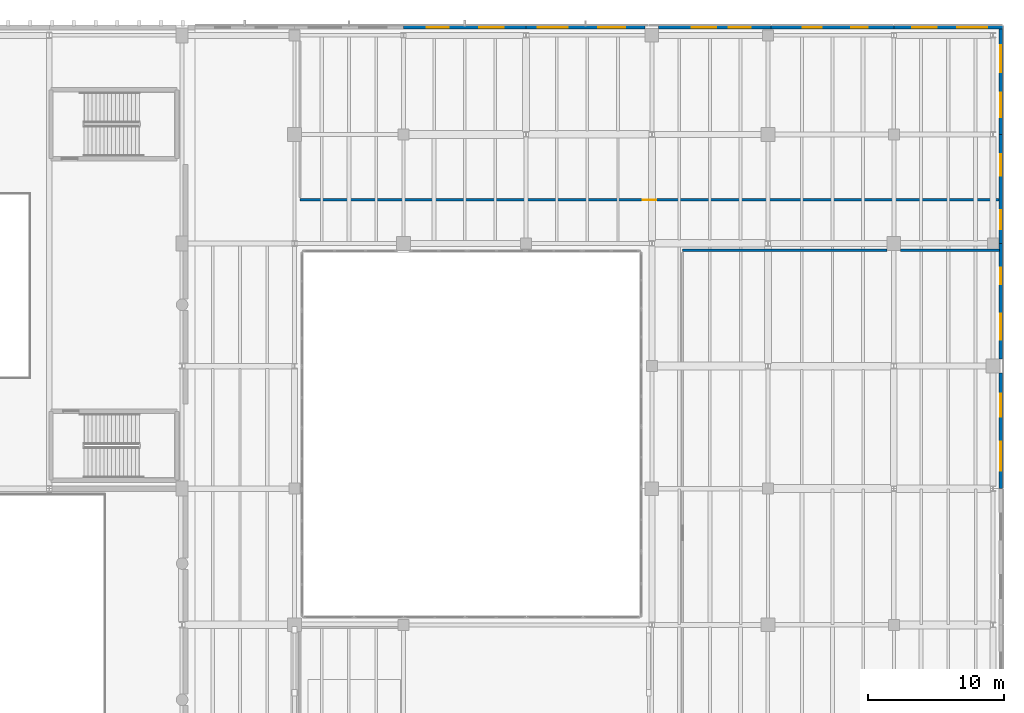
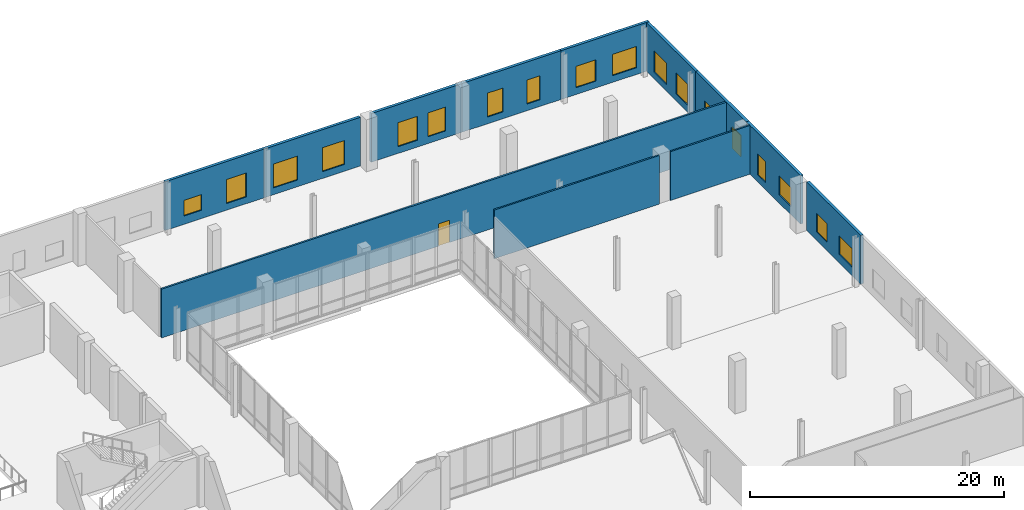
# One storey, part 65 of 81: 18 windows, 12 walls, 1 door, 19 openings.
"""IFC4 building model written with IfcOpenShell, lengths in metres."""

from ifc_helpers import new_model, si_unit, direction, frame, frame_2d, origin, place, context, subcontext, project, spatial, rectangle, extrude, material, layer, layer_set, type_object, element, fill, save


model = new_model("IFC4")

# Units and contexts
model_context = context("Model", 3, precision=1e-05, world=origin(), true_north=direction((0.0, 1.0)))
body_context = subcontext(model_context, "Body", "Model", "MODEL_VIEW")
ifc_project = project(units=[si_unit("LENGTHUNIT", "METRE"), si_unit("AREAUNIT", "SQUARE_METRE"), si_unit("VOLUMEUNIT", "CUBIC_METRE"), si_unit("PLANEANGLEUNIT", "RADIAN"), si_unit("MASSUNIT", "GRAM", prefix="KILO")], contexts=[model_context])

# Site, building, storey
site_placement = place(None, origin())
site = spatial("IfcSite", under=ifc_project, at=site_placement, CompositionType="ELEMENT")
building_placement = place(site_placement, origin())
building = spatial("IfcBuilding", under=site, at=building_placement, Name="Trimount Lyric Opera House", CompositionType="ELEMENT")
storey_placement = place(building_placement, frame((0.0, 0.0, 5.0)))
storey = spatial("IfcBuildingStorey", under=building, at=storey_placement, Name="L01", CompositionType="ELEMENT", Elevation=5.0)

# Walls
ifc_material_1 = material(Name="Fire-Rated Gypsum Board Partition")
ifc_layer_1 = layer(ifc_material_1, 0.14990234375)
ifc_layer_set_1 = layer_set([ifc_layer_1], Name="WL-PT150")
wall_type_1 = type_object("IfcWallType", Name="WL-PT150", PredefinedType="PARTITIONING", material=ifc_layer_set_1)
wall_1_placement = place(storey_placement, frame((173.75, 101.5, 0.0), z_axis=(0.0, 0.0, 1.0), x_axis=(-1.0, 0.0, 0.0)))
element("IfcWall", 1, at=wall_1_placement, inside=storey, type_object=wall_type_1, Name="L01 Scenic Backdrop Paint Loft N partition", PredefinedType="PARTITIONING", context=body_context, shape_type="SweptSolid", body=[
    extrude(rectangle(XDim=7.25, YDim=0.14990234375, at=frame_2d((3.625, 0.0))), origin(), (0.0, 0.0, 1.0), 4.679931640625),
])
wall_2_placement = place(storey_placement, frame((165.5, 101.5, 0.0), z_axis=(0.0, 0.0, 1.0), x_axis=(-1.0, 0.0, 0.0)))
element("IfcWall", 2, at=wall_2_placement, inside=storey, type_object=wall_type_1, Name="L01 Scenic Backdrop Paint Loft N partition", PredefinedType="PARTITIONING", context=body_context, shape_type="SweptSolid", body=[
    extrude(rectangle(XDim=15.0, YDim=0.14990234375, at=frame_2d((7.5, 0.0))), origin(), (0.0, 0.0, 1.0), 4.679931640625),
])

# Wall, opening, door
ifc_material_2 = material(Name="Acoustic Double-Stud Gypsum Board")
ifc_layer_2 = layer(ifc_material_2, 0.1650390625)
ifc_layer_set_2 = layer_set([ifc_layer_2], Name="WL-PT165")
wall_type_2 = type_object("IfcWallType", Name="WL-PT165", PredefinedType="PARTITIONING", material=ifc_layer_set_2)
wall_3_placement = place(storey_placement, frame((122.39990234375, 105.199951171875, 0.0), z_axis=(0.0, 0.0, 1.0), x_axis=(1.0, 0.0, 0.0)))
wall_3 = element("IfcWall", 3, at=wall_3_placement, inside=storey, type_object=wall_type_2, Name="L01 Stage Lighting & Projection Lab S partition", PredefinedType="PARTITIONING", context=body_context, shape_type="SweptSolid", body=[
    extrude(rectangle(XDim=51.35009765625, YDim=0.1650390625, at=frame_2d((25.675048828125, 0.0))), origin(), (0.0, 0.0, 1.0), 4.679931640625),
])
opening_1_placement = place(wall_3_placement, frame((25.175048828125, 0.0, 0.0)))
opening_1 = element("IfcOpeningElement", 4, at=opening_1_placement, cuts=wall_3, Name="Opening DT-RM1", PredefinedType="OPENING", context=body_context, shape_type="SweptSolid", body=[
    extrude(rectangle(XDim=1.0, YDim=2.14990234375, at=frame_2d((0.5, 1.074951171875))), frame((0.0, 0.092529296875, 0.0), z_axis=(0.0, -1.0, 0.0), x_axis=(1.0, 0.0, 0.0)), (0.0, 0.0, 1.0), 0.18505859375),
])
ifc_material_3 = material(Name="Solid Core White Oak")
door_type = type_object("IfcDoorType", Name="DT-RM1", OperationType="NOTDEFINED", PredefinedType="DOOR", material=ifc_material_3)
door_placement = place(opening_1_placement, origin())
door = element("IfcDoor", 5, at=door_placement, inside=storey, type_object=door_type, Name="D-205", OperationType="SINGLE_SWING_LEFT", OverallHeight=2.14990234375, OverallWidth=1.0, PredefinedType="DOOR", context=body_context, shape_type="SweptSolid", body=[
    extrude(rectangle(XDim=1.0, YDim=2.14990234375, at=frame_2d((0.5, 1.074951171875))), frame((0.0, 0.02490234375, 0.0), z_axis=(0.0, -1.0, 0.0), x_axis=(1.0, 0.0, 0.0)), (0.0, 0.0, 1.0), 0.050048828125),
])
fill(opening_1, door)

# Wall, openings, windows
ifc_material_4 = material(Name="Concrete C35/45", Category="concrete")
ifc_layer_3 = layer(ifc_material_4, 0.25)
ifc_layer_set_3 = layer_set([ifc_layer_3], Name="WL-SW250")
wall_type_3 = type_object("IfcWallType", Name="WL-SW250", PredefinedType="SOLIDWALL", material=ifc_layer_set_3)
wall_4_placement = place(storey_placement, frame((130.0, 117.860107421875, 0.0), z_axis=(0.0, 0.0, 1.0), x_axis=(1.0, 0.0, 0.0)))
wall_4 = element("IfcWall", 6, at=wall_4_placement, inside=storey, type_object=wall_type_3, Name="L01 exterior facade wall 179", PredefinedType="SOLIDWALL", context=body_context, shape_type="SweptSolid", body=[
    extrude(rectangle(XDim=9.0, YDim=0.25, at=frame_2d((4.5, 0.0))), origin(), (0.0, 0.0, 1.0), 4.679931640625),
])
opening_2_placement = place(wall_4_placement, frame((1.719970703125, 0.0, 0.800048828125)))
opening_2 = element("IfcOpeningElement", 7, at=opening_2_placement, cuts=wall_4, Name="Opening WT-26", PredefinedType="OPENING", context=body_context, shape_type="SweptSolid", body=[
    extrude(rectangle(XDim=1.60009765625, YDim=1.5, at=frame_2d((0.800048828125, 0.75))), frame((0.0, 0.135009765625, 0.0), z_axis=(0.0, -1.0, 0.0), x_axis=(1.0, 0.0, 0.0)), (0.0, 0.0, 1.0), 0.27001953125),
])
opening_3_placement = place(wall_4_placement, frame((5.580078125, 0.0, 0.64990234375)))
opening_3 = element("IfcOpeningElement", 8, at=opening_3_placement, cuts=wall_4, Name="Opening WT-04", PredefinedType="OPENING", context=body_context, shape_type="SweptSolid", body=[
    extrude(rectangle(XDim=1.800048828125, YDim=2.300048828125, at=frame_2d((0.89990234375, 1.14990234375))), frame((0.0, 0.135009765625, 0.0), z_axis=(0.0, -1.0, 0.0), x_axis=(1.0, 0.0, 0.0)), (0.0, 0.0, 1.0), 0.27001953125),
])
ifc_material_5 = material(Name="Triple Acoustic Glazing in Aluminium Frame", Category="aluminium")
window_type_1 = type_object("IfcWindowType", Name="WT-04", PartitioningType="DOUBLE_PANEL_VERTICAL", PredefinedType="WINDOW", material=ifc_material_5)
window_1_placement = place(opening_3_placement, origin())
window_1 = element("IfcWindow", 9, at=window_1_placement, inside=storey, type_object=window_type_1, Name="Window WT-04-0105", OverallHeight=2.300048828125, OverallWidth=1.800048828125, PartitioningType="SINGLE_PANEL", PredefinedType="WINDOW", context=body_context, shape_type="SweptSolid", body=[
    extrude(rectangle(XDim=1.800048828125, YDim=2.300048828125, at=frame_2d((0.89990234375, 1.14990234375))), frame((0.0, 0.030029296875, 0.0), z_axis=(0.0, -1.0, 0.0), x_axis=(1.0, 0.0, 0.0)), (0.0, 0.0, 1.0), 0.06005859375),
])
fill(opening_3, window_1)
ifc_material_6 = material(Name="Clerestory Ribbon Glazing", Category="glass")
window_type_2 = type_object("IfcWindowType", Name="WT-26", PartitioningType="SINGLE_PANEL", PredefinedType="WINDOW", material=ifc_material_6)
window_2_placement = place(opening_2_placement, origin())
window_2 = element("IfcWindow", 10, at=window_2_placement, inside=storey, type_object=window_type_2, Name="Window WT-26-0104", OverallHeight=1.5, OverallWidth=1.60009765625, PartitioningType="SINGLE_PANEL", PredefinedType="WINDOW", context=body_context, shape_type="SweptSolid", body=[
    extrude(rectangle(XDim=1.60009765625, YDim=1.5, at=frame_2d((0.800048828125, 0.75))), frame((0.0, 0.030029296875, 0.0), z_axis=(0.0, -1.0, 0.0), x_axis=(1.0, 0.0, 0.0)), (0.0, 0.0, 1.0), 0.06005859375),
])
fill(opening_2, window_2)

wall_5_placement = place(storey_placement, frame((139.0, 117.860107421875, 0.0), z_axis=(0.0, 0.0, 1.0), x_axis=(1.0, 0.0, 0.0)))
wall_5 = element("IfcWall", 11, at=wall_5_placement, inside=storey, type_object=wall_type_3, Name="L01 exterior facade wall 180", PredefinedType="SOLIDWALL", context=body_context, shape_type="SweptSolid", body=[
    extrude(rectangle(XDim=8.739990234375, YDim=0.25, at=frame_2d((4.3701171875, 0.0))), origin(), (0.0, 0.0, 1.0), 4.679931640625),
])
opening_4_placement = place(wall_5_placement, frame((0.84716796875, 0.0, 0.64990234375)))
opening_4 = element("IfcOpeningElement", 12, at=opening_4_placement, cuts=wall_5, Name="Opening WT-02", PredefinedType="OPENING", context=body_context, shape_type="SweptSolid", body=[
    extrude(rectangle(XDim=2.199951171875, YDim=2.300048828125, at=frame_2d((1.10009765625, 1.14990234375))), frame((0.0, 0.135009765625, 0.0), z_axis=(0.0, -1.0, 0.0), x_axis=(1.0, 0.0, 0.0)), (0.0, 0.0, 1.0), 0.27001953125),
])
opening_5_placement = place(wall_5_placement, frame((5.292724609375, 0.0, 0.64990234375)))
opening_5 = element("IfcOpeningElement", 13, at=opening_5_placement, cuts=wall_5, Name="Opening WT-03", PredefinedType="OPENING", context=body_context, shape_type="SweptSolid", body=[
    extrude(rectangle(XDim=2.0, YDim=2.300048828125, at=frame_2d((1.0, 1.14990234375))), frame((0.0, 0.135009765625, 0.0), z_axis=(0.0, -1.0, 0.0), x_axis=(1.0, 0.0, 0.0)), (0.0, 0.0, 1.0), 0.27001953125),
])
ifc_material_7 = material(Name="Triple Acoustic Glazing in Aluminium Frame", Category="aluminium")
window_type_3 = type_object("IfcWindowType", Name="WT-02", PartitioningType="DOUBLE_PANEL_VERTICAL", PredefinedType="WINDOW", material=ifc_material_7)
window_3_placement = place(opening_4_placement, origin())
window_3 = element("IfcWindow", 14, at=window_3_placement, inside=storey, type_object=window_type_3, Name="Window WT-02-0106", OverallHeight=2.300048828125, OverallWidth=2.199951171875, PartitioningType="SINGLE_PANEL", PredefinedType="WINDOW", context=body_context, shape_type="SweptSolid", body=[
    extrude(rectangle(XDim=2.199951171875, YDim=2.300048828125, at=frame_2d((1.10009765625, 1.14990234375))), frame((0.0, 0.030029296875, 0.0), z_axis=(0.0, -1.0, 0.0), x_axis=(1.0, 0.0, 0.0)), (0.0, 0.0, 1.0), 0.06005859375),
])
fill(opening_4, window_3)
ifc_material_8 = material(Name="Triple Acoustic Glazing in Aluminium Frame", Category="aluminium")
window_type_4 = type_object("IfcWindowType", Name="WT-03", PartitioningType="DOUBLE_PANEL_VERTICAL", PredefinedType="WINDOW", material=ifc_material_8)
window_4_placement = place(opening_5_placement, origin())
window_4 = element("IfcWindow", 15, at=window_4_placement, inside=storey, type_object=window_type_4, Name="Window WT-03-0107", OverallHeight=2.300048828125, OverallWidth=2.0, PartitioningType="SINGLE_PANEL", PredefinedType="WINDOW", context=body_context, shape_type="SweptSolid", body=[
    extrude(rectangle(XDim=2.0, YDim=2.300048828125, at=frame_2d((1.0, 1.14990234375))), frame((0.0, 0.030029296875, 0.0), z_axis=(0.0, -1.0, 0.0), x_axis=(1.0, 0.0, 0.0)), (0.0, 0.0, 1.0), 0.06005859375),
])
fill(opening_5, window_4)

wall_6_placement = place(storey_placement, frame((148.739990234375, 117.860107421875, 0.0), z_axis=(0.0, 0.0, 1.0), x_axis=(1.0, 0.0, 0.0)))
wall_6 = element("IfcWall", 16, at=wall_6_placement, inside=storey, type_object=wall_type_3, Name="L01 exterior facade wall 181", PredefinedType="SOLIDWALL", context=body_context, shape_type="SweptSolid", body=[
    extrude(rectangle(XDim=8.260009765625, YDim=0.25, at=frame_2d((4.1298828125, 0.0))), origin(), (0.0, 0.0, 1.0), 4.679931640625),
])
opening_6_placement = place(wall_6_placement, frame((2.412841796875, 0.0, 0.64990234375)))
opening_6 = element("IfcOpeningElement", 17, at=opening_6_placement, cuts=wall_6, Name="Opening WT-04", PredefinedType="OPENING", context=body_context, shape_type="SweptSolid", body=[
    extrude(rectangle(XDim=1.800048828125, YDim=2.300048828125, at=frame_2d((0.89990234375, 1.14990234375))), frame((0.0, 0.135009765625, 0.0), z_axis=(0.0, -1.0, 0.0), x_axis=(1.0, 0.0, 0.0)), (0.0, 0.0, 1.0), 0.27001953125),
])
opening_7_placement = place(wall_6_placement, frame((5.147216796875, 0.0, 0.64990234375)))
opening_7 = element("IfcOpeningElement", 18, at=opening_7_placement, cuts=wall_6, Name="Opening WT-05", PredefinedType="OPENING", context=body_context, shape_type="SweptSolid", body=[
    extrude(rectangle(XDim=1.60009765625, YDim=2.300048828125, at=frame_2d((0.800048828125, 1.14990234375))), frame((0.0, 0.135009765625, 0.0), z_axis=(0.0, -1.0, 0.0), x_axis=(1.0, 0.0, 0.0)), (0.0, 0.0, 1.0), 0.27001953125),
])
window_5_placement = place(opening_6_placement, origin())
window_5 = element("IfcWindow", 19, at=window_5_placement, inside=storey, type_object=window_type_1, Name="Window WT-04-0108", OverallHeight=2.300048828125, OverallWidth=1.800048828125, PartitioningType="SINGLE_PANEL", PredefinedType="WINDOW", context=body_context, shape_type="SweptSolid", body=[
    extrude(rectangle(XDim=1.800048828125, YDim=2.300048828125, at=frame_2d((0.89990234375, 1.14990234375))), frame((0.0, 0.030029296875, 0.0), z_axis=(0.0, -1.0, 0.0), x_axis=(1.0, 0.0, 0.0)), (0.0, 0.0, 1.0), 0.06005859375),
])
fill(opening_6, window_5)
ifc_material_9 = material(Name="Triple Acoustic Glazing in Aluminium Frame", Category="aluminium")
window_type_5 = type_object("IfcWindowType", Name="WT-05", PartitioningType="SINGLE_PANEL", PredefinedType="WINDOW", material=ifc_material_9)
window_6_placement = place(opening_7_placement, origin())
window_6 = element("IfcWindow", 20, at=window_6_placement, inside=storey, type_object=window_type_5, Name="Window WT-05-0109", OverallHeight=2.300048828125, OverallWidth=1.60009765625, PartitioningType="SINGLE_PANEL", PredefinedType="WINDOW", context=body_context, shape_type="SweptSolid", body=[
    extrude(rectangle(XDim=1.60009765625, YDim=2.300048828125, at=frame_2d((0.800048828125, 1.14990234375))), frame((0.0, 0.030029296875, 0.0), z_axis=(0.0, -1.0, 0.0), x_axis=(1.0, 0.0, 0.0)), (0.0, 0.0, 1.0), 0.06005859375),
])
fill(opening_7, window_6)

wall_7_placement = place(storey_placement, frame((157.0, 117.860107421875, 0.0), z_axis=(0.0, 0.0, 1.0), x_axis=(1.0, 0.0, 0.0)))
wall_7 = element("IfcWall", 21, at=wall_7_placement, inside=storey, type_object=wall_type_3, Name="L01 exterior facade wall 182", PredefinedType="SOLIDWALL", context=body_context, shape_type="SweptSolid", body=[
    extrude(rectangle(XDim=9.0, YDim=0.25, at=frame_2d((4.5, 0.0))), origin(), (0.0, 0.0, 1.0), 4.679931640625),
])
opening_8_placement = place(wall_7_placement, frame((2.320068359375, 0.0, 0.64990234375)))
opening_8 = element("IfcOpeningElement", 22, at=opening_8_placement, cuts=wall_7, Name="Opening WT-06", PredefinedType="OPENING", context=body_context, shape_type="SweptSolid", body=[
    extrude(rectangle(XDim=1.39990234375, YDim=2.300048828125, at=frame_2d((0.699951171875, 1.14990234375))), frame((0.0, 0.135009765625, 0.0), z_axis=(0.0, -1.0, 0.0), x_axis=(1.0, 0.0, 0.0)), (0.0, 0.0, 1.0), 0.27001953125),
])
opening_9_placement = place(wall_7_placement, frame((5.8798828125, 0.0, 0.64990234375)))
opening_9 = element("IfcOpeningElement", 23, at=opening_9_placement, cuts=wall_7, Name="Opening WT-07", PredefinedType="OPENING", context=body_context, shape_type="SweptSolid", body=[
    extrude(rectangle(XDim=1.199951171875, YDim=2.300048828125, at=frame_2d((0.60009765625, 1.14990234375))), frame((0.0, 0.135009765625, 0.0), z_axis=(0.0, -1.0, 0.0), x_axis=(1.0, 0.0, 0.0)), (0.0, 0.0, 1.0), 0.27001953125),
])
ifc_material_10 = material(Name="Triple Acoustic Glazing in Aluminium Frame", Category="aluminium")
window_type_6 = type_object("IfcWindowType", Name="WT-06", PartitioningType="SINGLE_PANEL", PredefinedType="WINDOW", material=ifc_material_10)
window_7_placement = place(opening_8_placement, origin())
window_7 = element("IfcWindow", 24, at=window_7_placement, inside=storey, type_object=window_type_6, Name="Window WT-06-0110", OverallHeight=2.300048828125, OverallWidth=1.39990234375, PartitioningType="SINGLE_PANEL", PredefinedType="WINDOW", context=body_context, shape_type="SweptSolid", body=[
    extrude(rectangle(XDim=1.39990234375, YDim=2.300048828125, at=frame_2d((0.699951171875, 1.14990234375))), frame((0.0, 0.030029296875, 0.0), z_axis=(0.0, -1.0, 0.0), x_axis=(1.0, 0.0, 0.0)), (0.0, 0.0, 1.0), 0.06005859375),
])
fill(opening_8, window_7)
ifc_material_11 = material(Name="Triple Acoustic Glazing in Aluminium Frame", Category="aluminium")
window_type_7 = type_object("IfcWindowType", Name="WT-07", PartitioningType="SINGLE_PANEL", PredefinedType="WINDOW", material=ifc_material_11)
window_8_placement = place(opening_9_placement, origin())
window_8 = element("IfcWindow", 25, at=window_8_placement, inside=storey, type_object=window_type_7, Name="Window WT-07-0111", OverallHeight=2.300048828125, OverallWidth=1.199951171875, PartitioningType="SINGLE_PANEL", PredefinedType="WINDOW", context=body_context, shape_type="SweptSolid", body=[
    extrude(rectangle(XDim=1.199951171875, YDim=2.300048828125, at=frame_2d((0.60009765625, 1.14990234375))), frame((0.0, 0.030029296875, 0.0), z_axis=(0.0, -1.0, 0.0), x_axis=(1.0, 0.0, 0.0)), (0.0, 0.0, 1.0), 0.06005859375),
])
fill(opening_9, window_8)

wall_8_placement = place(storey_placement, frame((166.0, 117.860107421875, 0.0), z_axis=(0.0, 0.0, 1.0), x_axis=(1.0, 0.0, 0.0)))
wall_8 = element("IfcWall", 26, at=wall_8_placement, inside=storey, type_object=wall_type_3, Name="L01 exterior facade wall 183", PredefinedType="SOLIDWALL", context=body_context, shape_type="SweptSolid", body=[
    extrude(rectangle(XDim=8.0, YDim=0.25, at=frame_2d((4.0, 0.0))), origin(), (0.0, 0.0, 1.0), 4.679931640625),
])
opening_10_placement = place(wall_8_placement, frame((1.340087890625, 0.0, 0.64990234375)))
opening_10 = element("IfcOpeningElement", 27, at=opening_10_placement, cuts=wall_8, Name="Opening WT-11", PredefinedType="OPENING", context=body_context, shape_type="SweptSolid", body=[
    extrude(rectangle(XDim=1.800048828125, YDim=2.050048828125, at=frame_2d((0.89990234375, 1.02490234375))), frame((0.0, 0.135009765625, 0.0), z_axis=(0.0, -1.0, 0.0), x_axis=(1.0, 0.0, 0.0)), (0.0, 0.0, 1.0), 0.27001953125),
])
opening_11_placement = place(wall_8_placement, frame((4.659912109375, 0.0, 0.64990234375)))
opening_11 = element("IfcOpeningElement", 28, at=opening_11_placement, cuts=wall_8, Name="Opening WT-09", PredefinedType="OPENING", context=body_context, shape_type="SweptSolid", body=[
    extrude(rectangle(XDim=2.199951171875, YDim=2.050048828125, at=frame_2d((1.10009765625, 1.02490234375))), frame((0.0, 0.135009765625, 0.0), z_axis=(0.0, -1.0, 0.0), x_axis=(1.0, 0.0, 0.0)), (0.0, 0.0, 1.0), 0.27001953125),
])
ifc_material_12 = material(Name="Low-E Insulated Glazing in Bronze Frame", Category="glass")
window_type_8 = type_object("IfcWindowType", Name="WT-09", PartitioningType="DOUBLE_PANEL_VERTICAL", PredefinedType="WINDOW", material=ifc_material_12)
window_9_placement = place(opening_11_placement, origin())
window_9 = element("IfcWindow", 29, at=window_9_placement, inside=storey, type_object=window_type_8, Name="Window WT-09-0113", OverallHeight=2.050048828125, OverallWidth=2.199951171875, PartitioningType="SINGLE_PANEL", PredefinedType="WINDOW", context=body_context, shape_type="SweptSolid", body=[
    extrude(rectangle(XDim=2.199951171875, YDim=2.050048828125, at=frame_2d((1.10009765625, 1.02490234375))), frame((0.0, 0.030029296875, 0.0), z_axis=(0.0, -1.0, 0.0), x_axis=(1.0, 0.0, 0.0)), (0.0, 0.0, 1.0), 0.06005859375),
])
fill(opening_11, window_9)
ifc_material_13 = material(Name="Low-E Insulated Glazing in Bronze Frame", Category="glass")
window_type_9 = type_object("IfcWindowType", Name="WT-11", PartitioningType="DOUBLE_PANEL_VERTICAL", PredefinedType="WINDOW", material=ifc_material_13)
window_10_placement = place(opening_10_placement, origin())
window_10 = element("IfcWindow", 30, at=window_10_placement, inside=storey, type_object=window_type_9, Name="Window WT-11-0112", OverallHeight=2.050048828125, OverallWidth=1.800048828125, PartitioningType="SINGLE_PANEL", PredefinedType="WINDOW", context=body_context, shape_type="SweptSolid", body=[
    extrude(rectangle(XDim=1.800048828125, YDim=2.050048828125, at=frame_2d((0.89990234375, 1.02490234375))), frame((0.0, 0.030029296875, 0.0), z_axis=(0.0, -1.0, 0.0), x_axis=(1.0, 0.0, 0.0)), (0.0, 0.0, 1.0), 0.06005859375),
])
fill(opening_10, window_10)

wall_9_placement = place(storey_placement, frame((173.860107421875, 117.72998046875, 0.0), z_axis=(0.0, 0.0, 1.0), x_axis=(0.0, -1.0, 0.0)))
wall_9 = element("IfcWall", 31, at=wall_9_placement, inside=storey, type_object=wall_type_3, Name="L01 exterior facade wall 184", PredefinedType="SOLIDWALL", context=body_context, shape_type="SweptSolid", body=[
    extrude(rectangle(XDim=7.72998046875, YDim=0.25, at=frame_2d((3.864990234375, 0.0))), origin(), (0.0, 0.0, 1.0), 4.679931640625),
])
opening_12_placement = place(wall_9_placement, frame((1.164306640625, 0.0, 0.64990234375)))
opening_12 = element("IfcOpeningElement", 32, at=opening_12_placement, cuts=wall_9, Name="Opening WT-10", PredefinedType="OPENING", context=body_context, shape_type="SweptSolid", body=[
    extrude(rectangle(XDim=2.0, YDim=2.050048828125, at=frame_2d((1.0, 1.02490234375))), frame((0.0, 0.135009765625, 0.0), z_axis=(0.0, -1.0, 0.0), x_axis=(1.0, 0.0, 0.0)), (0.0, 0.0, 1.0), 0.27001953125),
])
opening_13_placement = place(wall_9_placement, frame((4.66552734375, 0.0, 0.64990234375)))
opening_13 = element("IfcOpeningElement", 33, at=opening_13_placement, cuts=wall_9, Name="Opening WT-11", PredefinedType="OPENING", context=body_context, shape_type="SweptSolid", body=[
    extrude(rectangle(XDim=1.800048828125, YDim=2.050048828125, at=frame_2d((0.89990234375, 1.02490234375))), frame((0.0, 0.135009765625, 0.0), z_axis=(0.0, -1.0, 0.0), x_axis=(1.0, 0.0, 0.0)), (0.0, 0.0, 1.0), 0.27001953125),
])
ifc_material_14 = material(Name="Low-E Insulated Glazing in Bronze Frame", Category="glass")
window_type_10 = type_object("IfcWindowType", Name="WT-10", PartitioningType="DOUBLE_PANEL_VERTICAL", PredefinedType="WINDOW", material=ifc_material_14)
window_11_placement = place(opening_12_placement, origin())
window_11 = element("IfcWindow", 34, at=window_11_placement, inside=storey, type_object=window_type_10, Name="Window WT-10-0114", OverallHeight=2.050048828125, OverallWidth=2.0, PartitioningType="SINGLE_PANEL", PredefinedType="WINDOW", context=body_context, shape_type="SweptSolid", body=[
    extrude(rectangle(XDim=2.0, YDim=2.050048828125, at=frame_2d((1.0, 1.02490234375))), frame((0.0, 0.030029296875, 0.0), z_axis=(0.0, -1.0, 0.0), x_axis=(1.0, 0.0, 0.0)), (0.0, 0.0, 1.0), 0.06005859375),
])
fill(opening_12, window_11)
window_12_placement = place(opening_13_placement, origin())
window_12 = element("IfcWindow", 35, at=window_12_placement, inside=storey, type_object=window_type_9, Name="Window WT-11-0115", OverallHeight=2.050048828125, OverallWidth=1.800048828125, PartitioningType="SINGLE_PANEL", PredefinedType="WINDOW", context=body_context, shape_type="SweptSolid", body=[
    extrude(rectangle(XDim=1.800048828125, YDim=2.050048828125, at=frame_2d((0.89990234375, 1.02490234375))), frame((0.0, 0.030029296875, 0.0), z_axis=(0.0, -1.0, 0.0), x_axis=(1.0, 0.0, 0.0)), (0.0, 0.0, 1.0), 0.06005859375),
])
fill(opening_13, window_12)

wall_10_placement = place(storey_placement, frame((173.860107421875, 110.0, 0.0), z_axis=(0.0, 0.0, 1.0), x_axis=(0.0, -1.0, 0.0)))
wall_10 = element("IfcWall", 36, at=wall_10_placement, inside=storey, type_object=wall_type_3, Name="L01 exterior facade wall 185", PredefinedType="SOLIDWALL", context=body_context, shape_type="SweptSolid", body=[
    extrude(rectangle(XDim=8.0, YDim=0.25, at=frame_2d((4.0, 0.0))), origin(), (0.0, 0.0, 1.0), 4.679931640625),
])
opening_14_placement = place(wall_10_placement, frame((1.43994140625, 0.0, 0.64990234375)))
opening_14 = element("IfcOpeningElement", 37, at=opening_14_placement, cuts=wall_10, Name="Opening WT-12", PredefinedType="OPENING", context=body_context, shape_type="SweptSolid", body=[
    extrude(rectangle(XDim=1.60009765625, YDim=2.050048828125, at=frame_2d((0.800048828125, 1.02490234375))), frame((0.0, 0.135009765625, 0.0), z_axis=(0.0, -1.0, 0.0), x_axis=(1.0, 0.0, 0.0)), (0.0, 0.0, 1.0), 0.27001953125),
])
opening_15_placement = place(wall_10_placement, frame((5.56005859375, 0.0, 0.64990234375)))
opening_15 = element("IfcOpeningElement", 38, at=opening_15_placement, cuts=wall_10, Name="Opening WT-13", PredefinedType="OPENING", context=body_context, shape_type="SweptSolid", body=[
    extrude(rectangle(XDim=1.39990234375, YDim=2.050048828125, at=frame_2d((0.699951171875, 1.02490234375))), frame((0.0, 0.135009765625, 0.0), z_axis=(0.0, -1.0, 0.0), x_axis=(1.0, 0.0, 0.0)), (0.0, 0.0, 1.0), 0.27001953125),
])
ifc_material_15 = material(Name="Low-E Insulated Glazing in Bronze Frame", Category="glass")
window_type_11 = type_object("IfcWindowType", Name="WT-12", PartitioningType="SINGLE_PANEL", PredefinedType="WINDOW", material=ifc_material_15)
window_13_placement = place(opening_14_placement, origin())
window_13 = element("IfcWindow", 39, at=window_13_placement, inside=storey, type_object=window_type_11, Name="Window WT-12-0116", OverallHeight=2.050048828125, OverallWidth=1.60009765625, PartitioningType="SINGLE_PANEL", PredefinedType="WINDOW", context=body_context, shape_type="SweptSolid", body=[
    extrude(rectangle(XDim=1.60009765625, YDim=2.050048828125, at=frame_2d((0.800048828125, 1.02490234375))), frame((0.0, 0.030029296875, 0.0), z_axis=(0.0, -1.0, 0.0), x_axis=(1.0, 0.0, 0.0)), (0.0, 0.0, 1.0), 0.06005859375),
])
fill(opening_14, window_13)
ifc_material_16 = material(Name="Low-E Insulated Glazing in Bronze Frame", Category="glass")
window_type_12 = type_object("IfcWindowType", Name="WT-13", PartitioningType="SINGLE_PANEL", PredefinedType="WINDOW", material=ifc_material_16)
window_14_placement = place(opening_15_placement, origin())
window_14 = element("IfcWindow", 40, at=window_14_placement, inside=storey, type_object=window_type_12, Name="Window WT-13-0117", OverallHeight=2.050048828125, OverallWidth=1.39990234375, PartitioningType="SINGLE_PANEL", PredefinedType="WINDOW", context=body_context, shape_type="SweptSolid", body=[
    extrude(rectangle(XDim=1.39990234375, YDim=2.050048828125, at=frame_2d((0.699951171875, 1.02490234375))), frame((0.0, 0.030029296875, 0.0), z_axis=(0.0, -1.0, 0.0), x_axis=(1.0, 0.0, 0.0)), (0.0, 0.0, 1.0), 0.06005859375),
])
fill(opening_15, window_14)

wall_11_placement = place(storey_placement, frame((173.860107421875, 102.0, 0.0), z_axis=(0.0, 0.0, 1.0), x_axis=(0.0, -1.0, 0.0)))
wall_11 = element("IfcWall", 41, at=wall_11_placement, inside=storey, type_object=wall_type_3, Name="L01 exterior facade wall 186", PredefinedType="SOLIDWALL", context=body_context, shape_type="SweptSolid", body=[
    extrude(rectangle(XDim=8.5, YDim=0.25, at=frame_2d((4.25, 0.0))), origin(), (0.0, 0.0, 1.0), 4.679931640625),
])
opening_16_placement = place(wall_11_placement, frame((1.780029296875, 0.0, 0.64990234375)))
opening_16 = element("IfcOpeningElement", 42, at=opening_16_placement, cuts=wall_11, Name="Opening WT-14", PredefinedType="OPENING", context=body_context, shape_type="SweptSolid", body=[
    extrude(rectangle(XDim=1.199951171875, YDim=2.050048828125, at=frame_2d((0.60009765625, 1.02490234375))), frame((0.0, 0.135009765625, 0.0), z_axis=(0.0, -1.0, 0.0), x_axis=(1.0, 0.0, 0.0)), (0.0, 0.0, 1.0), 0.27001953125),
])
opening_17_placement = place(wall_11_placement, frame((5.169921875, 0.0, 0.800048828125)))
opening_17 = element("IfcOpeningElement", 43, at=opening_17_placement, cuts=wall_11, Name="Opening WT-18", PredefinedType="OPENING", context=body_context, shape_type="SweptSolid", body=[
    extrude(rectangle(XDim=1.89990234375, YDim=1.800048828125, at=frame_2d((0.949951171875, 0.89990234375))), frame((0.0, 0.135009765625, 0.0), z_axis=(0.0, -1.0, 0.0), x_axis=(1.0, 0.0, 0.0)), (0.0, 0.0, 1.0), 0.27001953125),
])
ifc_material_17 = material(Name="Low-E Insulated Glazing in Bronze Frame", Category="glass")
window_type_13 = type_object("IfcWindowType", Name="WT-14", PartitioningType="SINGLE_PANEL", PredefinedType="WINDOW", material=ifc_material_17)
window_15_placement = place(opening_16_placement, origin())
window_15 = element("IfcWindow", 44, at=window_15_placement, inside=storey, type_object=window_type_13, Name="Window WT-14-0118", OverallHeight=2.050048828125, OverallWidth=1.199951171875, PartitioningType="SINGLE_PANEL", PredefinedType="WINDOW", context=body_context, shape_type="SweptSolid", body=[
    extrude(rectangle(XDim=1.199951171875, YDim=2.050048828125, at=frame_2d((0.60009765625, 1.02490234375))), frame((0.0, 0.030029296875, 0.0), z_axis=(0.0, -1.0, 0.0), x_axis=(1.0, 0.0, 0.0)), (0.0, 0.0, 1.0), 0.06005859375),
])
fill(opening_16, window_15)
ifc_material_18 = material(Name="Dressing Suite Acoustic Window")
window_type_14 = type_object("IfcWindowType", Name="WT-18", PartitioningType="DOUBLE_PANEL_VERTICAL", PredefinedType="WINDOW", material=ifc_material_18)
window_16_placement = place(opening_17_placement, origin())
window_16 = element("IfcWindow", 45, at=window_16_placement, inside=storey, type_object=window_type_14, Name="Window WT-18-0119", OverallHeight=1.800048828125, OverallWidth=1.89990234375, PartitioningType="SINGLE_PANEL", PredefinedType="WINDOW", context=body_context, shape_type="SweptSolid", body=[
    extrude(rectangle(XDim=1.89990234375, YDim=1.800048828125, at=frame_2d((0.949951171875, 0.89990234375))), frame((0.0, 0.030029296875, 0.0), z_axis=(0.0, -1.0, 0.0), x_axis=(1.0, 0.0, 0.0)), (0.0, 0.0, 1.0), 0.06005859375),
])
fill(opening_17, window_16)

wall_12_placement = place(storey_placement, frame((173.860107421875, 92.5, 0.0), z_axis=(0.0, 0.0, 1.0), x_axis=(0.0, -1.0, 0.0)))
wall_12 = element("IfcWall", 46, at=wall_12_placement, inside=storey, type_object=wall_type_3, Name="L01 exterior facade wall 187", PredefinedType="SOLIDWALL", context=body_context, shape_type="SweptSolid", body=[
    extrude(rectangle(XDim=8.5, YDim=0.25, at=frame_2d((4.25, 0.0))), origin(), (0.0, 0.0, 1.0), 4.679931640625),
])
opening_18_placement = place(wall_12_placement, frame((1.530029296875, 0.0, 0.800048828125)))
opening_18 = element("IfcOpeningElement", 47, at=opening_18_placement, cuts=wall_12, Name="Opening WT-19", PredefinedType="OPENING", context=body_context, shape_type="SweptSolid", body=[
    extrude(rectangle(XDim=1.699951171875, YDim=1.800048828125, at=frame_2d((0.85009765625, 0.89990234375))), frame((0.0, 0.135009765625, 0.0), z_axis=(0.0, -1.0, 0.0), x_axis=(1.0, 0.0, 0.0)), (0.0, 0.0, 1.0), 0.27001953125),
])
opening_19_placement = place(wall_12_placement, frame((5.070068359375, 0.0, 0.800048828125)))
opening_19 = element("IfcOpeningElement", 48, at=opening_19_placement, cuts=wall_12, Name="Opening WT-17", PredefinedType="OPENING", context=body_context, shape_type="SweptSolid", body=[
    extrude(rectangle(XDim=2.10009765625, YDim=1.800048828125, at=frame_2d((1.050048828125, 0.89990234375))), frame((0.0, 0.135009765625, 0.0), z_axis=(0.0, -1.0, 0.0), x_axis=(1.0, 0.0, 0.0)), (0.0, 0.0, 1.0), 0.27001953125),
])
ifc_material_19 = material(Name="Dressing Suite Acoustic Window")
window_type_15 = type_object("IfcWindowType", Name="WT-17", PartitioningType="DOUBLE_PANEL_VERTICAL", PredefinedType="WINDOW", material=ifc_material_19)
window_17_placement = place(opening_19_placement, origin())
window_17 = element("IfcWindow", 49, at=window_17_placement, inside=storey, type_object=window_type_15, Name="Window WT-17-0121", OverallHeight=1.800048828125, OverallWidth=2.10009765625, PartitioningType="SINGLE_PANEL", PredefinedType="WINDOW", context=body_context, shape_type="SweptSolid", body=[
    extrude(rectangle(XDim=2.10009765625, YDim=1.800048828125, at=frame_2d((1.050048828125, 0.89990234375))), frame((0.0, 0.030029296875, 0.0), z_axis=(0.0, -1.0, 0.0), x_axis=(1.0, 0.0, 0.0)), (0.0, 0.0, 1.0), 0.06005859375),
])
fill(opening_19, window_17)
ifc_material_20 = material(Name="Dressing Suite Acoustic Window")
window_type_16 = type_object("IfcWindowType", Name="WT-19", PartitioningType="SINGLE_PANEL", PredefinedType="WINDOW", material=ifc_material_20)
window_18_placement = place(opening_18_placement, origin())
window_18 = element("IfcWindow", 50, at=window_18_placement, inside=storey, type_object=window_type_16, Name="Window WT-19-0120", OverallHeight=1.800048828125, OverallWidth=1.699951171875, PartitioningType="SINGLE_PANEL", PredefinedType="WINDOW", context=body_context, shape_type="SweptSolid", body=[
    extrude(rectangle(XDim=1.699951171875, YDim=1.800048828125, at=frame_2d((0.85009765625, 0.89990234375))), frame((0.0, 0.030029296875, 0.0), z_axis=(0.0, -1.0, 0.0), x_axis=(1.0, 0.0, 0.0)), (0.0, 0.0, 1.0), 0.06005859375),
])
fill(opening_18, window_18)

save(model, "model.ifc")
